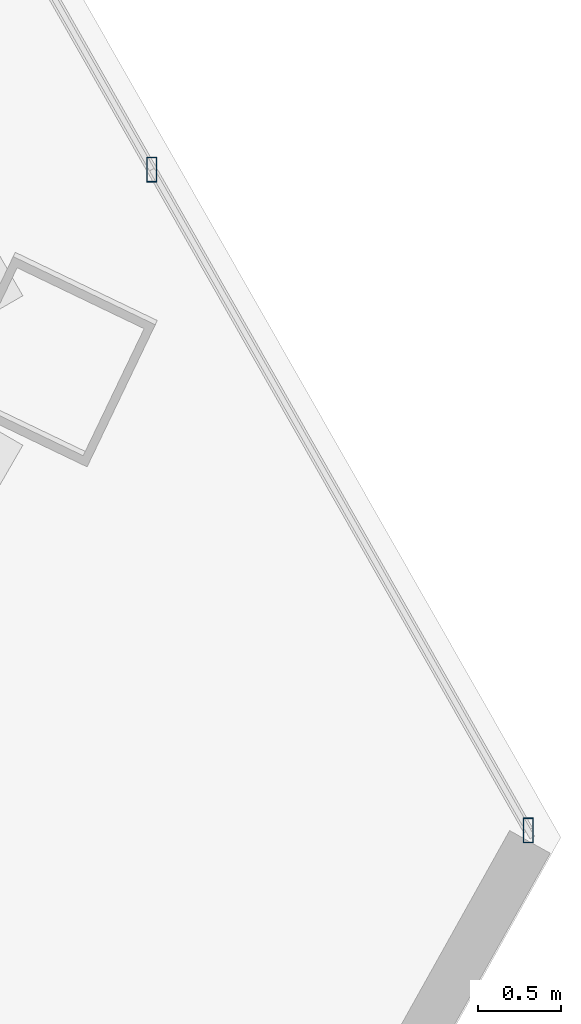
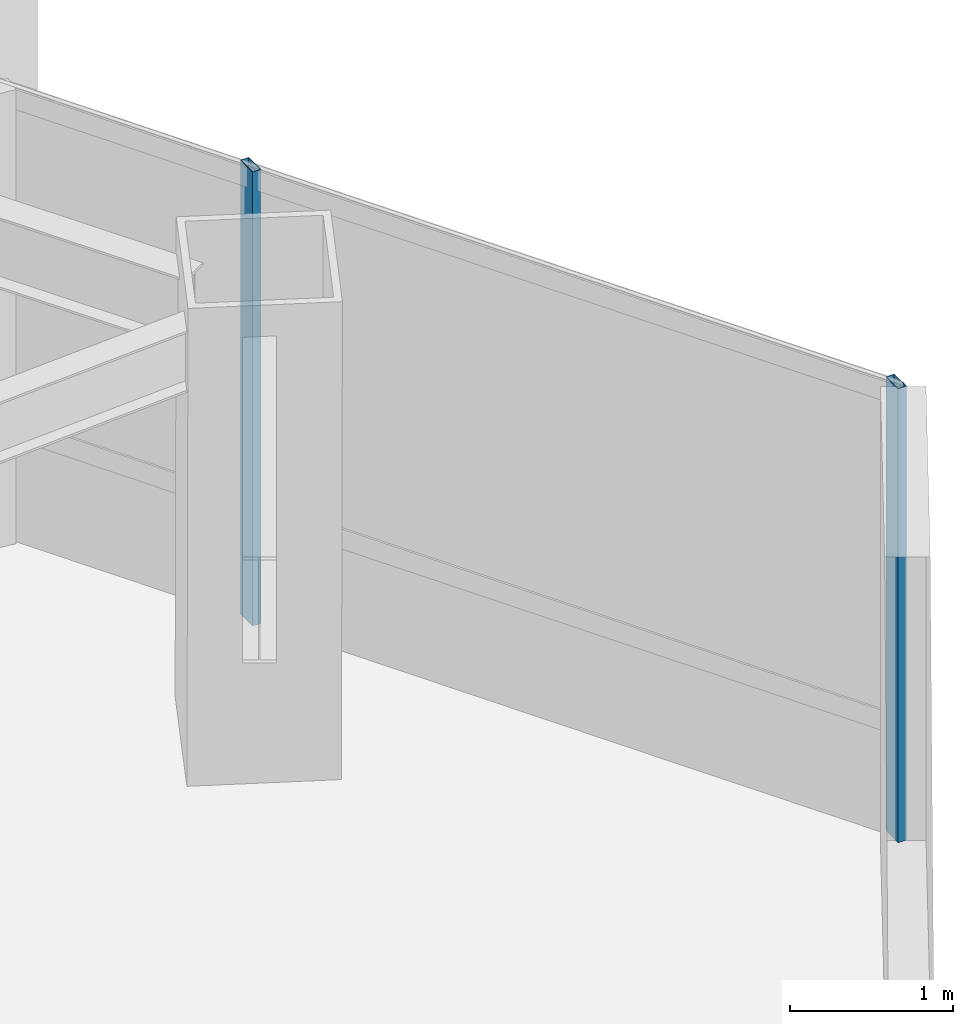
# One storey, part 21 of 39: 2 members, 1 element without a shape of its own.
"""IFC4 building model written with IfcOpenShell, lengths in metres."""

from ifc_helpers import new_model, si_unit, direction, frame, origin, origin_2d, place, context, subcontext, project, spatial, hollow_rectangle, extrude, source, transform, mapped, material, material_profile, profile_set, type_object, type_shapes, element, aggregate, save


model = new_model("IFC4")

# Units and contexts
model_context = context("Model", 3, precision=1e-05, world=origin(), true_north=direction((0.0, 1.0)))
body_context = subcontext(model_context, "Body", "Model", "MODEL_VIEW")
ifc_project = project(units=[si_unit("LENGTHUNIT", "METRE"), si_unit("AREAUNIT", "SQUARE_METRE"), si_unit("VOLUMEUNIT", "CUBIC_METRE"), si_unit("PLANEANGLEUNIT", "RADIAN"), si_unit("MASSUNIT", "GRAM", prefix="KILO")], contexts=[model_context])

# Site, building, storey
site_placement = place(None, origin())
site = spatial("IfcSite", under=ifc_project, at=site_placement, CompositionType="ELEMENT")
building_placement = place(site_placement, origin())
building = spatial("IfcBuilding", under=site, at=building_placement, Name="Caelisora Broadcast Tower", CompositionType="ELEMENT")
storey_placement = place(building_placement, frame((0.0, 0.0, 142.75)))
storey = spatial("IfcBuildingStorey", under=building, at=storey_placement, Name="L37", CompositionType="ELEMENT", Elevation=142.75)

# Curtain wall, members
ifc_material_1 = material(Name="Unitised Aluminium and Low-E Glass Curtain Wall", Category="glass")
curtain_wall_type = type_object("IfcCurtainWallType", Name="CW-Z3", PredefinedType="NOTDEFINED", material=ifc_material_1)
curtain_wall_placement = place(storey_placement, origin())
curtain_wall = element("IfcCurtainWall", 1, at=curtain_wall_placement, inside=storey, type_object=curtain_wall_type, Name="L37 curtain wall CW-Z3", PredefinedType="NOTDEFINED")
ifc_material_2 = material(Name="Aluminium 6063-T6 Anodised Terracotta Bronze", Category="aluminium")
ifc_material_profile = material_profile(ifc_material_2, hollow_rectangle(XDim=0.06005859375, YDim=0.14990234375, WallThickness=0.00341796875, at=origin_2d()), Name="Aluminium 6063-T6 Anodised Terracotta Bronze")
ifc_profile_set = profile_set([ifc_material_profile], Name="Aluminium 6063-T6 Anodised Terracotta Bronze")
member_type = type_object("IfcMemberType", Name="CWM-03", PredefinedType="MULLION", material=ifc_profile_set)
shared_shape = source(origin(), body_context, "Body", "SweptSolid", [
    extrude(hollow_rectangle(XDim=0.06005859375, YDim=0.14990234375, WallThickness=0.00341796875, at=origin_2d()), origin(), (0.0, 0.0, 1.0), 3.39990234375),
])
type_shapes(member_type, [shared_shape])
member_1_placement = place(storey_placement, frame((61.3447265625, 19.577392578125, 0.0), z_axis=(0.0, 0.0, 1.0), x_axis=(1.0, 0.0, 0.0)))
member_1 = element("IfcMember", 2, at=member_1_placement, type_object=member_type, Name="L37-CW-B03 mullion #2", PredefinedType="MULLION", context=body_context, shape_type="MappedRepresentation", body=[
    mapped(shared_shape, transform((0.0, 0.0, 0.0), scale=1.0)),
])
member_2_placement = place(storey_placement, frame((63.6142578125, 15.59228515625, 0.0), z_axis=(0.0, 0.0, 1.0), x_axis=(1.0, 0.0, 0.0)))
member_2 = element("IfcMember", 3, at=member_2_placement, type_object=member_type, Name="L37-CW-B03 mullion #3", PredefinedType="MULLION", context=body_context, shape_type="MappedRepresentation", body=[
    mapped(shared_shape, transform((0.0, 0.0, 0.0), scale=1.0)),
])
aggregate(curtain_wall, [member_1, member_2])

save(model, "model.ifc")
